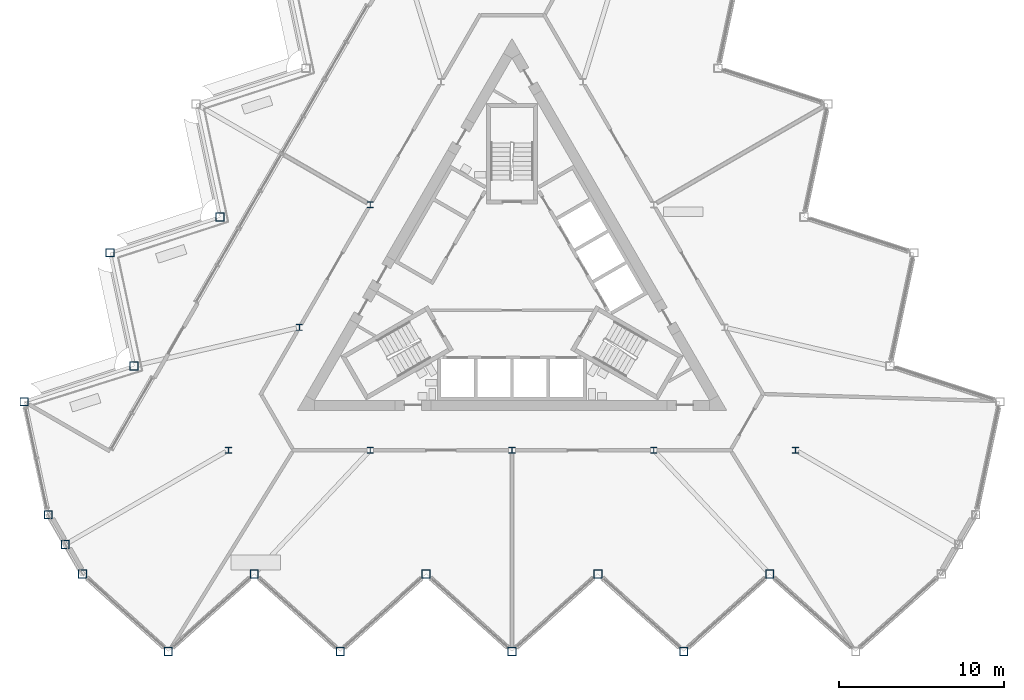
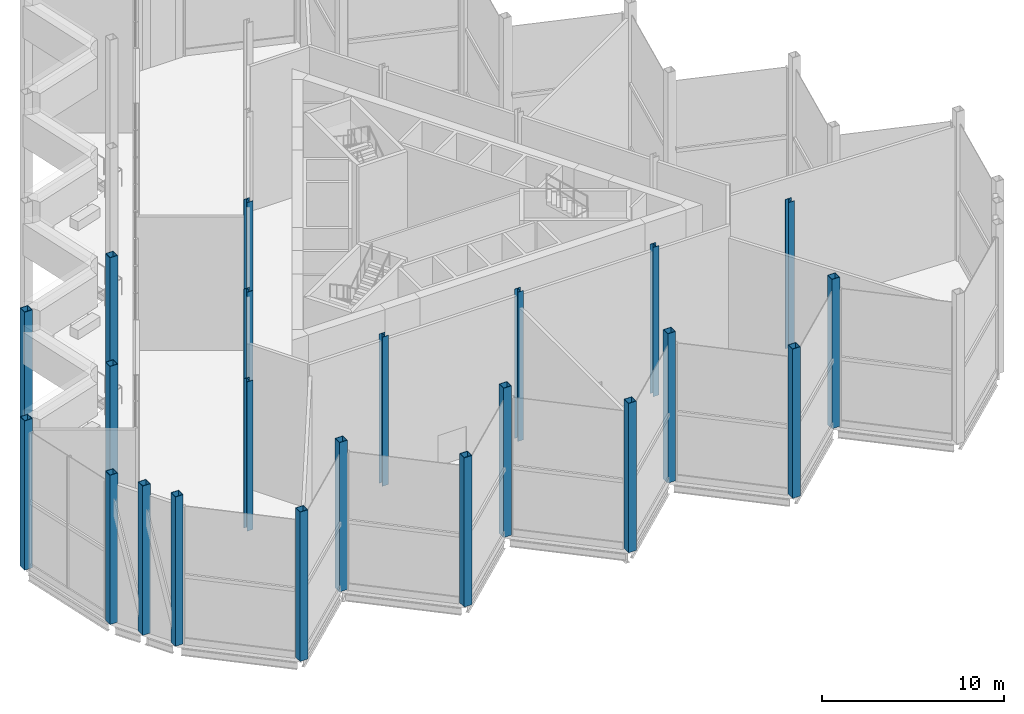
# One storey, part 1 of 18: 22 columns.
"""IFC4 building model written with IfcOpenShell, lengths in metres."""

from ifc_helpers import new_model, si_unit, direction, frame, origin, origin_2d, place, context, subcontext, project, spatial, hollow_rectangle, i_section, extrude, material, material_profile, profile_set, type_object, element, save


model = new_model("IFC4")

# Units and contexts
model_context = context("Model", 3, precision=1e-05, world=origin(), true_north=direction((0.0, 1.0)))
body_context = subcontext(model_context, "Body", "Model", "MODEL_VIEW")
ifc_project = project(units=[si_unit("LENGTHUNIT", "METRE"), si_unit("AREAUNIT", "SQUARE_METRE"), si_unit("VOLUMEUNIT", "CUBIC_METRE"), si_unit("PLANEANGLEUNIT", "RADIAN"), si_unit("MASSUNIT", "GRAM", prefix="KILO")], contexts=[model_context])

# Site, building, storey
site_placement = place(None, origin())
site = spatial("IfcSite", under=ifc_project, at=site_placement, CompositionType="ELEMENT")
building_placement = place(site_placement, origin())
building = spatial("IfcBuilding", under=site, at=building_placement, Name="Cormorant Prow Tower", CompositionType="ELEMENT")
storey_placement = place(building_placement, frame((0.0, 0.0, 405.199951171875)))
storey = spatial("IfcBuildingStorey", under=building, at=storey_placement, Name="L93", CompositionType="ELEMENT", Elevation=405.199951171875)

# Columns
ifc_material_1 = material(Name="Structural steel ASTM A572 Gr 50", Category="steel")
ifc_material_profile_1 = material_profile(ifc_material_1, hollow_rectangle(XDim=0.5, YDim=0.5, WallThickness=0.030029296875, at=origin_2d()), Name="Box 500x500x30")
ifc_profile_set_1 = profile_set([ifc_material_profile_1], Name="Structural steel ASTM A572 Gr 50")
column_type_1 = type_object("IfcColumnType", Name="Perimeter box column 500x500x30", PredefinedType="COLUMN", material=ifc_profile_set_1)
for number, where, z_axis, x_axis, name in (
    (1, (-26.0, -17.40576171875, 0.0), (0.0, 0.0, 1.0), (1.0, 0.0, 0.0), "Perimeter column C7 at S00 L93"),
    (2, (-20.800048828125, -22.087890625, 0.0), (0.0, 0.0, 1.0), (1.0, 0.0, 0.0), "Perimeter column C7 at S01 L93"),
    (3, (-15.60009765625, -17.40576171875, 0.0), (0.0, 0.0, 1.0), (1.0, 0.0, 0.0), "Perimeter column C7 at S02 L93"),
    (4, (-10.39990234375, -22.087890625, 0.0), (0.0, 0.0, 1.0), (1.0, 0.0, 0.0), "Perimeter column C7 at S03 L93"),
    (5, (-5.199951171875, -17.40576171875, 0.0), (0.0, 0.0, 1.0), (1.0, 0.0, 0.0), "Perimeter column C7 at S04 L93"),
    (6, (0.0, -22.087890625, 0.0), (0.0, 0.0, 1.0), (1.0, 0.0, 0.0), "Perimeter column C7 at S05 L93"),
    (7, (5.199951171875, -17.40576171875, 0.0), (0.0, 0.0, 1.0), (1.0, 0.0, 0.0), "Perimeter column C7 at S06 L93"),
    (8, (10.39990234375, -22.087890625, 0.0), (0.0, 0.0, 1.0), (1.0, 0.0, 0.0), "Perimeter column C7 at S07 L93"),
    (9, (15.60009765625, -17.40576171875, 0.0), (0.0, 0.0, 1.0), (1.0, 0.0, 0.0), "Perimeter column C7 at S08 L93"),
    (10, (-17.673828125, 4.199462890625, 0.0), (0.0, 0.0, 1.0), (1.0, 0.0, 0.0), "Perimeter column C7 at WNW06 L93"),
    (11, (-24.32861328125, 2.037353515625, 0.0), (0.0, 0.0, 1.0), (1.0, 0.0, 0.0), "Perimeter column C7 at WNW07 L93"),
    (12, (-22.873779296875, -4.80712890625, 0.0), (0.0, 0.0, 1.0), (1.0, 0.0, 0.0), "Perimeter column C7 at WNW08 L93"),
    (13, (-29.528564453125, -6.969482421875, 0.0), (0.0, 0.0, 1.0), (1.0, 0.0, 0.0), "Perimeter column C7 at WNW09 L93"),
    (14, (-28.07373046875, -13.813720703125, 0.0), (0.0, 0.0, 1.0), (1.0, 0.0, 0.0), "Perimeter column C7 at WSW00 L93"),
    (15, (-27.036865234375, -15.60986328125, 0.0), (0.0, 0.0, 1.0), (1.0, 0.0, 0.0), "Perimeter column C7 at WSW01 L93"),
):
    element("IfcColumn", number, at=place(storey_placement, frame(where, z_axis=z_axis, x_axis=x_axis)), inside=storey, type_object=column_type_1, Name=name, PredefinedType="COLUMN", context=body_context, shape_type="SweptSolid", body=[
        extrude(hollow_rectangle(XDim=0.5, YDim=0.5, WallThickness=0.030029296875, at=origin_2d()), origin(), (0.0, 0.0, 1.0), 10.0),
    ])
ifc_material_2 = material(Name="Structural steel ASTM A992 Gr 50", Category="steel")
ifc_material_profile_2 = material_profile(ifc_material_2, i_section(OverallWidth=0.3740234375, OverallDepth=0.372314453125, WebThickness=0.016357421875, FlangeThickness=0.026123046875, at=origin_2d()), Name="W14x132")
ifc_profile_set_2 = profile_set([ifc_material_profile_2], Name="Structural steel ASTM A992 Gr 50")
column_type_2 = type_object("IfcColumnType", Name="Ring column W14x132", PredefinedType="COLUMN", material=ifc_profile_set_2)
for number, where, z_axis, x_axis, name in (
    (16, (-8.578369140625, 4.952880859375, 0.0), (0.0, 0.0, 1.0), (1.0, 0.0, 0.0), "Ring column 3 L93"),
    (17, (-12.86767578125, -2.476318359375, 0.0), (0.0, 0.0, 1.0), (1.0, 0.0, 0.0), "Ring column 4 L93"),
    (18, (-17.156982421875, -9.905517578125, 0.0), (0.0, 0.0, 1.0), (1.0, 0.0, 0.0), "Ring column 5 L93"),
    (19, (-8.578369140625, -9.905517578125, 0.0), (0.0, 0.0, 1.0), (1.0, 0.0, 0.0), "Ring column 6 L93"),
    (20, (0.0, -9.905517578125, 0.0), (0.0, 0.0, 1.0), (1.0, 0.0, 0.0), "Ring column 7 L93"),
    (21, (8.578369140625, -9.905517578125, 0.0), (0.0, 0.0, 1.0), (1.0, 0.0, 0.0), "Ring column 8 L93"),
    (22, (17.156982421875, -9.905517578125, 0.0), (0.0, 0.0, 1.0), (1.0, 0.0, 0.0), "Ring column 9 L93"),
):
    element("IfcColumn", number, at=place(storey_placement, frame(where, z_axis=z_axis, x_axis=x_axis)), inside=storey, type_object=column_type_2, Name=name, PredefinedType="COLUMN", context=body_context, shape_type="SweptSolid", body=[
        extrude(i_section(OverallWidth=0.3740234375, OverallDepth=0.372314453125, WebThickness=0.016357421875, FlangeThickness=0.026123046875, at=origin_2d()), origin(), (0.0, 0.0, 1.0), 10.0),
    ])

save(model, "model.ifc")
